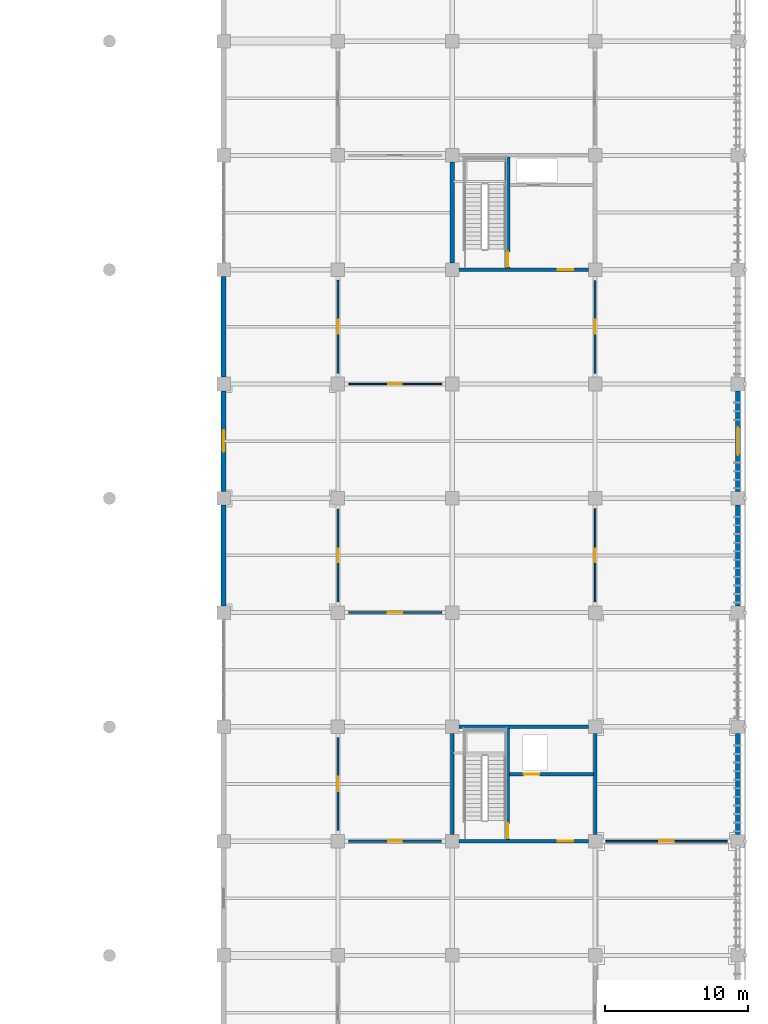
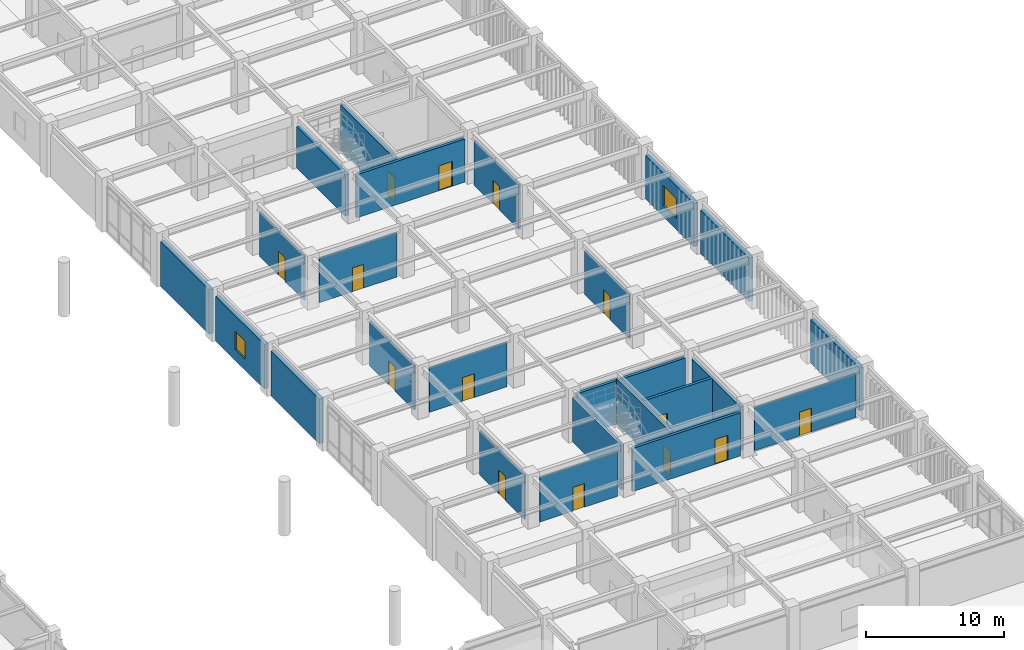
# One storey, part 77 of 109: 24 walls, 14 doors, 2 windows, 16 openings.
"""IFC4 building model written with IfcOpenShell, lengths in metres."""

from ifc_helpers import new_model, si_unit, direction, frame, frame_2d, origin, place, context, subcontext, project, spatial, rectangle, extrude, material, layer, layer_set, type_object, element, fill, save


model = new_model("IFC4")

# Units and contexts
model_context = context("Model", 3, precision=1e-05, world=origin(), true_north=direction((0.0, 1.0)))
body_context = subcontext(model_context, "Body", "Model", "MODEL_VIEW")
ifc_project = project(units=[si_unit("LENGTHUNIT", "METRE"), si_unit("AREAUNIT", "SQUARE_METRE"), si_unit("VOLUMEUNIT", "CUBIC_METRE"), si_unit("PLANEANGLEUNIT", "RADIAN"), si_unit("MASSUNIT", "GRAM", prefix="KILO")], contexts=[model_context])

# Site, building, storey
site_placement = place(None, origin())
site = spatial("IfcSite", under=ifc_project, at=site_placement, CompositionType="ELEMENT")
building_placement = place(site_placement, origin())
building = spatial("IfcBuilding", under=site, at=building_placement, Name="Haebicheon Civic Stadium", CompositionType="ELEMENT")
storey_placement = place(building_placement, frame((0.0, 0.0, 9.60009765625)))
storey = spatial("IfcBuildingStorey", under=building, at=storey_placement, Name="L03", CompositionType="ELEMENT", Elevation=9.60009765625)

# Wall, opening, door
ifc_material_1 = material(Name="Concrete C40/50", Category="concrete")
ifc_layer_1 = layer(ifc_material_1, 0.239990234375, Name="Concrete C40/50")
ifc_layer_set_1 = layer_set([ifc_layer_1], Name="Concrete C40/50")
wall_type_1 = type_object("IfcWallType", Name="CW-SHR-240", PredefinedType="SHEAR", material=ifc_layer_set_1)
wall_1_placement = place(storey_placement, frame((216.47509765625, 64.0, 0.0), z_axis=(0.0, 0.0, 1.0), x_axis=(1.0, 0.0, 0.0)))
wall_1 = element("IfcWall", 1, at=wall_1_placement, inside=storey, type_object=wall_type_1, material=ifc_layer_set_1, Name="KC-12 L03 south core shear wall", PredefinedType="SHEAR", context=body_context, shape_type="SweptSolid", body=[
    extrude(rectangle(XDim=9.0498046875, YDim=0.239990234375, at=frame_2d((4.52490234375, 0.0))), origin(), (0.0, 0.0, 1.0), 3.829833984375),
])
opening_1_placement = place(wall_1_placement, frame((6.89990234375, 0.0, 0.0)))
opening_1 = element("IfcOpeningElement", 2, at=opening_1_placement, cuts=wall_1, Name="Opening D-L03-KC-12-LOB", PredefinedType="OPENING", context=body_context, shape_type="SweptSolid", body=[
    extrude(rectangle(XDim=1.10009765625, YDim=2.199951171875, at=frame_2d((0.550048828125, 1.10009765625))), frame((0.0, 0.1298828125, 0.0), z_axis=(0.0, -1.0, 0.0), x_axis=(1.0, 0.0, 0.0)), (0.0, 0.0, 1.0), 0.260009765625),
])
ifc_material_2 = material(Name="Galvanised painted steel SM355", Category="steel")
door_type_1 = type_object("IfcDoorType", Name="ID-FD-1100", OperationType="NOTDEFINED", PredefinedType="DOOR", material=ifc_material_2)
door_1_placement = place(opening_1_placement, origin())
door_1 = element("IfcDoor", 3, at=door_1_placement, inside=storey, type_object=door_type_1, material=ifc_material_2, Name="L03 KC-12 lobby fire door", OperationType="SINGLE_SWING_LEFT", OverallHeight=2.199951171875, OverallWidth=1.10009765625, PredefinedType="DOOR", context=body_context, shape_type="SweptSolid", body=[
    extrude(rectangle(XDim=1.10009765625, YDim=2.199951171875, at=frame_2d((0.550048828125, 1.10009765625))), frame((0.0, 0.02490234375, 0.0), z_axis=(0.0, -1.0, 0.0), x_axis=(1.0, 0.0, 0.0)), (0.0, 0.0, 1.0), 0.050048828125),
])
fill(opening_1, door_1)

# Walls
wall_2_placement = place(storey_placement, frame((216.47509765625, 72.0, 0.0), z_axis=(0.0, 0.0, 1.0), x_axis=(1.0, 0.0, 0.0)))
element("IfcWall", 4, at=wall_2_placement, inside=storey, type_object=wall_type_1, material=ifc_layer_set_1, Name="KC-12 L03 north core shear wall", PredefinedType="SHEAR", context=body_context, shape_type="SweptSolid", body=[
    extrude(rectangle(XDim=9.0498046875, YDim=0.239990234375, at=frame_2d((4.52490234375, 0.0))), origin(), (0.0, 0.0, 1.0), 3.829833984375),
])
wall_3_placement = place(storey_placement, frame((216.0, 64.47509765625, 0.0), z_axis=(0.0, 0.0, 1.0), x_axis=(0.0, 1.0, 0.0)))
element("IfcWall", 5, at=wall_3_placement, inside=storey, type_object=wall_type_1, material=ifc_layer_set_1, Name="KC-12 L03 west core shear wall", PredefinedType="SHEAR", context=body_context, shape_type="SweptSolid", body=[
    extrude(rectangle(XDim=7.0498046875, YDim=0.239990234375, at=frame_2d((3.52490234375, 0.0))), origin(), (0.0, 0.0, 1.0), 3.929931640625),
])
wall_4_placement = place(storey_placement, frame((226.0, 64.47509765625, 0.0), z_axis=(0.0, 0.0, 1.0), x_axis=(0.0, 1.0, 0.0)))
element("IfcWall", 6, at=wall_4_placement, inside=storey, type_object=wall_type_1, material=ifc_layer_set_1, Name="KC-12 L03 east core shear wall", PredefinedType="SHEAR", context=body_context, shape_type="SweptSolid", body=[
    extrude(rectangle(XDim=7.0498046875, YDim=0.239990234375, at=frame_2d((3.52490234375, 0.0))), origin(), (0.0, 0.0, 1.0), 3.829833984375),
])

# Wall, opening, door
wall_5_placement = place(storey_placement, frame((219.8798828125, 64.1201171875, 0.0), z_axis=(0.0, 0.0, 1.0), x_axis=(0.0, 1.0, 0.0)))
wall_5 = element("IfcWall", 7, at=wall_5_placement, inside=storey, type_object=wall_type_1, material=ifc_layer_set_1, Name="KC-12 L03 stair-lobby dividing shear wall", PredefinedType="SHEAR", context=body_context, shape_type="SweptSolid", body=[
    extrude(rectangle(XDim=7.759765625, YDim=0.239990234375, at=frame_2d((3.8798828125, 0.0))), origin(), (0.0, 0.0, 1.0), 4.02978515625),
])
opening_2_placement = place(wall_5_placement, frame((0.080078125, 0.0, 0.0)))
opening_2 = element("IfcOpeningElement", 8, at=opening_2_placement, cuts=wall_5, Name="Opening D-L03-KC-12-STR", PredefinedType="OPENING", context=body_context, shape_type="SweptSolid", body=[
    extrude(rectangle(XDim=1.050048828125, YDim=2.14990234375, at=frame_2d((0.52490234375, 1.074951171875))), frame((0.0, 0.1298828125, 0.0), z_axis=(0.0, -1.0, 0.0), x_axis=(1.0, 0.0, 0.0)), (0.0, 0.0, 1.0), 0.260009765625),
])
ifc_material_3 = material(Name="Galvanised painted steel SM355", Category="steel")
door_type_2 = type_object("IfcDoorType", Name="ID-FD-1050", OperationType="NOTDEFINED", PredefinedType="DOOR", material=ifc_material_3)
door_2_placement = place(opening_2_placement, origin())
door_2 = element("IfcDoor", 9, at=door_2_placement, inside=storey, type_object=door_type_2, material=ifc_material_3, Name="L03 ST-12 stairwell escape door", OperationType="SINGLE_SWING_RIGHT", OverallHeight=2.14990234375, OverallWidth=1.050048828125, PredefinedType="DOOR", context=body_context, shape_type="SweptSolid", body=[
    extrude(rectangle(XDim=1.050048828125, YDim=2.14990234375, at=frame_2d((0.52490234375, 1.074951171875))), frame((0.0, 0.02490234375, 0.0), z_axis=(0.0, -1.0, 0.0), x_axis=(1.0, 0.0, 0.0)), (0.0, 0.0, 1.0), 0.050048828125),
])
fill(opening_2, door_2)

wall_6_placement = place(storey_placement, frame((220.0, 68.679931640625, 0.0), z_axis=(0.0, 0.0, 1.0), x_axis=(1.0, 0.0, 0.0)))
wall_6 = element("IfcWall", 10, at=wall_6_placement, inside=storey, type_object=wall_type_1, material=ifc_layer_set_1, Name="KC-12 L03 lift shaft front wall", PredefinedType="SHEAR", context=body_context, shape_type="SweptSolid", body=[
    extrude(rectangle(XDim=5.8798828125, YDim=0.239990234375, at=frame_2d((2.93994140625, 0.0))), origin(), (0.0, 0.0, 1.0), 3.929931640625),
])
opening_3_placement = place(wall_6_placement, frame((1.0, 0.0, 0.0)))
opening_3 = element("IfcOpeningElement", 11, at=opening_3_placement, cuts=wall_6, Name="Opening LD-09-L03", PredefinedType="OPENING", context=body_context, shape_type="SweptSolid", body=[
    extrude(rectangle(XDim=1.10009765625, YDim=2.14990234375, at=frame_2d((0.550048828125, 1.074951171875))), frame((0.0, 0.1298828125, 0.0), z_axis=(0.0, -1.0, 0.0), x_axis=(1.0, 0.0, 0.0)), (0.0, 0.0, 1.0), 0.260009765625),
])
ifc_material_4 = material(Name="Stainless steel 316", Category="steel")
door_type_3 = type_object("IfcDoorType", Name="ID-LD-1100", OperationType="NOTDEFINED", PredefinedType="DOOR", material=ifc_material_4)
door_3_placement = place(opening_3_placement, origin())
door_3 = element("IfcDoor", 12, at=door_3_placement, inside=storey, type_object=door_type_3, material=ifc_material_4, Name="LF-09 lift landing sliding door L03", OperationType="SLIDING_TO_LEFT", OverallHeight=2.14990234375, OverallWidth=1.10009765625, PredefinedType="DOOR", context=body_context, shape_type="SweptSolid", body=[
    extrude(rectangle(XDim=1.10009765625, YDim=2.14990234375, at=frame_2d((0.550048828125, 1.074951171875))), frame((0.0, 0.02490234375, 0.0), z_axis=(0.0, -1.0, 0.0), x_axis=(1.0, 0.0, 0.0)), (0.0, 0.0, 1.0), 0.050048828125),
])
fill(opening_3, door_3)

wall_7_placement = place(storey_placement, frame((216.47509765625, 104.0, 0.0), z_axis=(0.0, 0.0, 1.0), x_axis=(1.0, 0.0, 0.0)))
wall_7 = element("IfcWall", 13, at=wall_7_placement, inside=storey, type_object=wall_type_1, material=ifc_layer_set_1, Name="KC-13 L03 south core shear wall", PredefinedType="SHEAR", context=body_context, shape_type="SweptSolid", body=[
    extrude(rectangle(XDim=9.0498046875, YDim=0.239990234375, at=frame_2d((4.52490234375, 0.0))), origin(), (0.0, 0.0, 1.0), 3.829833984375),
])
opening_4_placement = place(wall_7_placement, frame((6.89990234375, 0.0, 0.0)))
opening_4 = element("IfcOpeningElement", 14, at=opening_4_placement, cuts=wall_7, Name="Opening D-L03-KC-13-LOB", PredefinedType="OPENING", context=body_context, shape_type="SweptSolid", body=[
    extrude(rectangle(XDim=1.10009765625, YDim=2.199951171875, at=frame_2d((0.550048828125, 1.10009765625))), frame((0.0, 0.1298828125, 0.0), z_axis=(0.0, -1.0, 0.0), x_axis=(1.0, 0.0, 0.0)), (0.0, 0.0, 1.0), 0.260009765625),
])
door_4_placement = place(opening_4_placement, origin())
door_4 = element("IfcDoor", 15, at=door_4_placement, inside=storey, type_object=door_type_1, material=ifc_material_2, Name="L03 KC-13 lobby fire door", OperationType="SINGLE_SWING_LEFT", OverallHeight=2.199951171875, OverallWidth=1.10009765625, PredefinedType="DOOR", context=body_context, shape_type="SweptSolid", body=[
    extrude(rectangle(XDim=1.10009765625, YDim=2.199951171875, at=frame_2d((0.550048828125, 1.10009765625))), frame((0.0, 0.02490234375, 0.0), z_axis=(0.0, -1.0, 0.0), x_axis=(1.0, 0.0, 0.0)), (0.0, 0.0, 1.0), 0.050048828125),
])
fill(opening_4, door_4)

# Wall
ifc_material_5 = material(Name="Concrete C40/50", Category="concrete")
ifc_layer_2 = layer(ifc_material_5, 0.300048828125, Name="Concrete C40/50")
ifc_layer_set_2 = layer_set([ifc_layer_2], Name="Concrete C40/50")
wall_type_2 = type_object("IfcWallType", Name="CW-SHR-300", PredefinedType="SHEAR", material=ifc_layer_set_2)
wall_8_placement = place(storey_placement, frame((216.0, 104.47509765625, 0.0), z_axis=(0.0, 0.0, 1.0), x_axis=(0.0, 1.0, 0.0)))
element("IfcWall", 16, at=wall_8_placement, inside=storey, type_object=wall_type_2, material=ifc_layer_set_2, Name="KC-13 L03 west core shear wall", PredefinedType="SHEAR", context=body_context, shape_type="SweptSolid", body=[
    extrude(rectangle(XDim=7.0498046875, YDim=0.300048828125, at=frame_2d((3.52490234375, 0.0))), origin(), (0.0, 0.0, 1.0), 3.679931640625),
])

# Wall, opening, door
wall_9_placement = place(storey_placement, frame((219.8798828125, 104.1201171875, 0.0), z_axis=(0.0, 0.0, 1.0), x_axis=(0.0, 1.0, 0.0)))
wall_9 = element("IfcWall", 17, at=wall_9_placement, inside=storey, type_object=wall_type_2, material=ifc_layer_set_2, Name="KC-13 L03 stair-lobby dividing shear wall", PredefinedType="SHEAR", context=body_context, shape_type="SweptSolid", body=[
    extrude(rectangle(XDim=7.759765625, YDim=0.300048828125, at=frame_2d((3.8798828125, 0.0))), origin(), (0.0, 0.0, 1.0), 4.02978515625),
])
opening_5_placement = place(wall_9_placement, frame((0.080078125, 0.0, 0.0)))
opening_5 = element("IfcOpeningElement", 18, at=opening_5_placement, cuts=wall_9, Name="Opening D-L03-KC-13-STR", PredefinedType="OPENING", context=body_context, shape_type="SweptSolid", body=[
    extrude(rectangle(XDim=1.050048828125, YDim=2.14990234375, at=frame_2d((0.52490234375, 1.074951171875))), frame((0.0, 0.159912109375, 0.0), z_axis=(0.0, -1.0, 0.0), x_axis=(1.0, 0.0, 0.0)), (0.0, 0.0, 1.0), 0.320068359375),
])
door_5_placement = place(opening_5_placement, origin())
door_5 = element("IfcDoor", 19, at=door_5_placement, inside=storey, type_object=door_type_2, material=ifc_material_3, Name="L03 ST-13 stairwell escape door", OperationType="SINGLE_SWING_RIGHT", OverallHeight=2.14990234375, OverallWidth=1.050048828125, PredefinedType="DOOR", context=body_context, shape_type="SweptSolid", body=[
    extrude(rectangle(XDim=1.050048828125, YDim=2.14990234375, at=frame_2d((0.52490234375, 1.074951171875))), frame((0.0, 0.02490234375, 0.0), z_axis=(0.0, -1.0, 0.0), x_axis=(1.0, 0.0, 0.0)), (0.0, 0.0, 1.0), 0.050048828125),
])
fill(opening_5, door_5)

# Wall
ifc_material_6 = material(Name="Concrete C40/50", Category="concrete")
ifc_layer_3 = layer(ifc_material_6, 0.35009765625, Name="Concrete C40/50")
ifc_layer_set_3 = layer_set([ifc_layer_3], Name="Concrete C40/50")
wall_type_3 = type_object("IfcWallType", Name="EW-BM-350", PredefinedType="SOLIDWALL", material=ifc_layer_set_3)
wall_10_placement = place(storey_placement, frame((200.0, 80.47509765625, 0.0), z_axis=(0.0, 0.0, 1.0), x_axis=(0.0, 1.0, 0.0)))
element("IfcWall", 20, at=wall_10_placement, inside=storey, type_object=wall_type_3, material=ifc_layer_set_3, Name="L03 board-marked concrete facade wall 25-10-W", PredefinedType="SOLIDWALL", context=body_context, shape_type="SweptSolid", body=[
    extrude(rectangle(XDim=7.0498046875, YDim=0.35009765625, at=frame_2d((3.52490234375, 0.0))), origin(), (0.0, 0.0, 1.0), 3.949951171875),
])

# Wall, opening, window
wall_11_placement = place(storey_placement, frame((200.0, 88.47509765625, 0.0), z_axis=(0.0, 0.0, 1.0), x_axis=(0.0, 1.0, 0.0)))
wall_11 = element("IfcWall", 21, at=wall_11_placement, inside=storey, type_object=wall_type_3, material=ifc_layer_set_3, Name="L03 board-marked concrete facade wall 25-11-W", PredefinedType="SOLIDWALL", context=body_context, shape_type="SweptSolid", body=[
    extrude(rectangle(XDim=7.0498046875, YDim=0.35009765625, at=frame_2d((3.52490234375, 0.0))), origin(), (0.0, 0.0, 1.0), 3.949951171875),
])
opening_6_placement = place(wall_11_placement, frame((2.77490234375, 0.0, 0.949951171875)))
opening_6 = element("IfcOpeningElement", 22, at=opening_6_placement, cuts=wall_11, Name="Opening WIN-150x160", PredefinedType="OPENING", context=body_context, shape_type="SweptSolid", body=[
    extrude(rectangle(XDim=1.5, YDim=1.60009765625, at=frame_2d((0.75, 0.800048828125))), frame((0.0, 0.18505859375, 0.0), z_axis=(0.0, -1.0, 0.0), x_axis=(1.0, 0.0, 0.0)), (0.0, 0.0, 1.0), 0.3701171875),
])
ifc_material_7 = material(Name="Anodised aluminium and laminated glass", Category="aluminium")
window_type_1 = type_object("IfcWindowType", Name="WIN-150x160", PartitioningType="SINGLE_PANEL", PredefinedType="WINDOW", material=ifc_material_7)
window_1_placement = place(opening_6_placement, origin())
window_1 = element("IfcWindow", 23, at=window_1_placement, inside=storey, type_object=window_type_1, material=ifc_material_7, Name="L03 facade window 093", OverallHeight=1.60009765625, OverallWidth=1.5, PartitioningType="SINGLE_PANEL", PredefinedType="WINDOW", context=body_context, shape_type="SweptSolid", body=[
    extrude(rectangle(XDim=1.5, YDim=1.60009765625, at=frame_2d((0.75, 0.800048828125))), frame((0.0, 0.030029296875, 0.0), z_axis=(0.0, -1.0, 0.0), x_axis=(1.0, 0.0, 0.0)), (0.0, 0.0, 1.0), 0.06005859375),
])
fill(opening_6, window_1)

# Walls
wall_12_placement = place(storey_placement, frame((200.0, 96.47509765625, 0.0), z_axis=(0.0, 0.0, 1.0), x_axis=(0.0, 1.0, 0.0)))
element("IfcWall", 24, at=wall_12_placement, inside=storey, type_object=wall_type_3, material=ifc_layer_set_3, Name="L03 board-marked concrete facade wall 25-12-W", PredefinedType="SOLIDWALL", context=body_context, shape_type="SweptSolid", body=[
    extrude(rectangle(XDim=7.0498046875, YDim=0.35009765625, at=frame_2d((3.52490234375, 0.0))), origin(), (0.0, 0.0, 1.0), 3.949951171875),
])
for number, where, z_axis, x_axis, name in (
    (25, (236.0, 64.47509765625, 0.0), (0.0, 0.0, 1.0), (0.0, 1.0, 0.0), "L03 board-marked concrete facade wall 29-08-E"),
    (26, (236.0, 80.47509765625, 0.0), (0.0, 0.0, 1.0), (0.0, 1.0, 0.0), "L03 board-marked concrete facade wall 29-10-E"),
):
    element("IfcWall", number, at=place(storey_placement, frame(where, z_axis=z_axis, x_axis=x_axis)), inside=storey, type_object=wall_type_3, material=ifc_layer_set_3, Name=name, PredefinedType="SOLIDWALL", context=body_context, shape_type="SweptSolid", body=[
        extrude(rectangle(XDim=7.0498046875, YDim=0.35009765625, at=frame_2d((3.52490234375, 0.0))), origin(), (0.0, 0.0, 1.0), 3.829833984375),
    ])

# Wall, opening, window
wall_13_placement = place(storey_placement, frame((236.0, 88.47509765625, 0.0), z_axis=(0.0, 0.0, 1.0), x_axis=(0.0, 1.0, 0.0)))
wall_13 = element("IfcWall", 27, at=wall_13_placement, inside=storey, type_object=wall_type_3, material=ifc_layer_set_3, Name="L03 board-marked concrete facade wall 29-11-E", PredefinedType="SOLIDWALL", context=body_context, shape_type="SweptSolid", body=[
    extrude(rectangle(XDim=7.0498046875, YDim=0.35009765625, at=frame_2d((3.52490234375, 0.0))), origin(), (0.0, 0.0, 1.0), 3.829833984375),
])
opening_7_placement = place(wall_13_placement, frame((2.550048828125, 0.0, 0.949951171875)))
opening_7 = element("IfcOpeningElement", 28, at=opening_7_placement, cuts=wall_13, Name="Opening WIN-195x180", PredefinedType="OPENING", context=body_context, shape_type="SweptSolid", body=[
    extrude(rectangle(XDim=1.949951171875, YDim=1.800048828125, at=frame_2d((0.97509765625, 0.89990234375))), frame((0.0, 0.18505859375, 0.0), z_axis=(0.0, -1.0, 0.0), x_axis=(1.0, 0.0, 0.0)), (0.0, 0.0, 1.0), 0.3701171875),
])
ifc_material_8 = material(Name="Anodised aluminium and laminated glass", Category="aluminium")
window_type_2 = type_object("IfcWindowType", Name="WIN-195x180", PartitioningType="SINGLE_PANEL", PredefinedType="WINDOW", material=ifc_material_8)
window_2_placement = place(opening_7_placement, origin())
window_2 = element("IfcWindow", 29, at=window_2_placement, inside=storey, type_object=window_type_2, material=ifc_material_8, Name="L03 facade window 096", OverallHeight=1.800048828125, OverallWidth=1.949951171875, PartitioningType="SINGLE_PANEL", PredefinedType="WINDOW", context=body_context, shape_type="SweptSolid", body=[
    extrude(rectangle(XDim=1.949951171875, YDim=1.800048828125, at=frame_2d((0.97509765625, 0.89990234375))), frame((0.0, 0.030029296875, 0.0), z_axis=(0.0, -1.0, 0.0), x_axis=(1.0, 0.0, 0.0)), (0.0, 0.0, 1.0), 0.06005859375),
])
fill(opening_7, window_2)

# Wall, opening, door
ifc_material_9 = material(Name="Anodised aluminium and laminated glass", Category="aluminium")
ifc_layer_4 = layer(ifc_material_9, 0.10009765625, Name="Anodised aluminium and laminated glass")
ifc_layer_set_4 = layer_set([ifc_layer_4], Name="Anodised aluminium and laminated glass")
wall_type_4 = type_object("IfcWallType", Name="IW-PRT-100", PredefinedType="PARTITIONING", material=ifc_layer_set_4)
wall_14_placement = place(storey_placement, frame((208.75, 96.0, 0.0), z_axis=(0.0, 0.0, 1.0), x_axis=(1.0, 0.0, 0.0)))
wall_14 = element("IfcWall", 30, at=wall_14_placement, inside=storey, type_object=wall_type_4, material=ifc_layer_set_4, Name="L03 Sports Science Teaching Lab partition wall", PredefinedType="PARTITIONING", context=body_context, shape_type="SweptSolid", body=[
    extrude(rectangle(XDim=6.5, YDim=0.10009765625, at=frame_2d((3.25, 0.0))), origin(), (0.0, 0.0, 1.0), 3.929931640625),
])
opening_8_placement = place(wall_14_placement, frame((2.77490234375, 0.0, 0.0)))
opening_8 = element("IfcOpeningElement", 31, at=opening_8_placement, cuts=wall_14, Name="Opening D-L03-305", PredefinedType="OPENING", context=body_context, shape_type="SweptSolid", body=[
    extrude(rectangle(XDim=0.949951171875, YDim=2.10009765625, at=frame_2d((0.47509765625, 1.050048828125))), frame((0.0, 0.06005859375, 0.0), z_axis=(0.0, -1.0, 0.0), x_axis=(1.0, 0.0, 0.0)), (0.0, 0.0, 1.0), 0.1201171875),
])
ifc_material_10 = material(Name="Engineered hardwood timber", Category="wood")
door_type_4 = type_object("IfcDoorType", Name="ID-RM-0950", OperationType="NOTDEFINED", PredefinedType="DOOR", material=ifc_material_10)
door_6_placement = place(opening_8_placement, origin())
door_6 = element("IfcDoor", 32, at=door_6_placement, inside=storey, type_object=door_type_4, material=ifc_material_10, Name="L03 Sports Science Teaching Lab entrance door D-L03-305", OperationType="SINGLE_SWING_LEFT", OverallHeight=2.10009765625, OverallWidth=0.949951171875, PredefinedType="DOOR", context=body_context, shape_type="SweptSolid", body=[
    extrude(rectangle(XDim=0.949951171875, YDim=2.10009765625, at=frame_2d((0.47509765625, 1.050048828125))), frame((0.0, 0.02490234375, 0.0), z_axis=(0.0, -1.0, 0.0), x_axis=(1.0, 0.0, 0.0)), (0.0, 0.0, 1.0), 0.050048828125),
])
fill(opening_8, door_6)

wall_15_placement = place(storey_placement, frame((226.0, 80.75, 0.0), z_axis=(0.0, 0.0, 1.0), x_axis=(0.0, 1.0, 0.0)))
wall_15 = element("IfcWall", 33, at=wall_15_placement, inside=storey, type_object=wall_type_4, material=ifc_layer_set_4, Name="L03 Sports Science Teaching Lab partition wall", PredefinedType="PARTITIONING", context=body_context, shape_type="SweptSolid", body=[
    extrude(rectangle(XDim=6.5, YDim=0.10009765625, at=frame_2d((3.25, 0.0))), origin(), (0.0, 0.0, 1.0), 3.929931640625),
])
opening_9_placement = place(wall_15_placement, frame((2.77490234375, 0.0, 0.0)))
opening_9 = element("IfcOpeningElement", 34, at=opening_9_placement, cuts=wall_15, Name="Opening D-L03-311", PredefinedType="OPENING", context=body_context, shape_type="SweptSolid", body=[
    extrude(rectangle(XDim=0.949951171875, YDim=2.10009765625, at=frame_2d((0.47509765625, 1.050048828125))), frame((0.0, 0.06005859375, 0.0), z_axis=(0.0, -1.0, 0.0), x_axis=(1.0, 0.0, 0.0)), (0.0, 0.0, 1.0), 0.1201171875),
])
door_7_placement = place(opening_9_placement, origin())
door_7 = element("IfcDoor", 35, at=door_7_placement, inside=storey, type_object=door_type_4, material=ifc_material_10, Name="L03 Sports Science Teaching Lab entrance door D-L03-311", OperationType="SINGLE_SWING_LEFT", OverallHeight=2.10009765625, OverallWidth=0.949951171875, PredefinedType="DOOR", context=body_context, shape_type="SweptSolid", body=[
    extrude(rectangle(XDim=0.949951171875, YDim=2.10009765625, at=frame_2d((0.47509765625, 1.050048828125))), frame((0.0, 0.02490234375, 0.0), z_axis=(0.0, -1.0, 0.0), x_axis=(1.0, 0.0, 0.0)), (0.0, 0.0, 1.0), 0.050048828125),
])
fill(opening_9, door_7)

ifc_material_11 = material(Name="Gypsum plasterboard on steel studs", Category="gypsum")
ifc_layer_5 = layer(ifc_material_11, 0.1201171875, Name="Gypsum plasterboard on steel studs")
ifc_layer_set_5 = layer_set([ifc_layer_5], Name="Gypsum plasterboard on steel studs")
wall_type_5 = type_object("IfcWallType", Name="IW-PRT-120", PredefinedType="PARTITIONING", material=ifc_layer_set_5)
wall_16_placement = place(storey_placement, frame((208.0, 96.75, 0.0), z_axis=(0.0, 0.0, 1.0), x_axis=(0.0, 1.0, 0.0)))
wall_16 = element("IfcWall", 36, at=wall_16_placement, inside=storey, type_object=wall_type_5, material=ifc_layer_set_5, Name="L03 Youth Sports Classroom partition wall", PredefinedType="PARTITIONING", context=body_context, shape_type="SweptSolid", body=[
    extrude(rectangle(XDim=6.5, YDim=0.1201171875, at=frame_2d((3.25, 0.0))), origin(), (0.0, 0.0, 1.0), 3.929931640625),
])
opening_10_placement = place(wall_16_placement, frame((2.75, 0.0, 0.0)))
opening_10 = element("IfcOpeningElement", 37, at=opening_10_placement, cuts=wall_16, Name="Opening D-L03-298", PredefinedType="OPENING", context=body_context, shape_type="SweptSolid", body=[
    extrude(rectangle(XDim=1.0, YDim=2.10009765625, at=frame_2d((0.5, 1.050048828125))), frame((0.0, 0.070068359375, 0.0), z_axis=(0.0, -1.0, 0.0), x_axis=(1.0, 0.0, 0.0)), (0.0, 0.0, 1.0), 0.14013671875),
])
ifc_material_12 = material(Name="Engineered hardwood timber", Category="wood")
door_type_5 = type_object("IfcDoorType", Name="ID-RM-1000", OperationType="NOTDEFINED", PredefinedType="DOOR", material=ifc_material_12)
door_8_placement = place(opening_10_placement, origin())
door_8 = element("IfcDoor", 38, at=door_8_placement, inside=storey, type_object=door_type_5, material=ifc_material_12, Name="L03 Youth Sports Classroom entrance door D-L03-298", OperationType="SINGLE_SWING_RIGHT", OverallHeight=2.10009765625, OverallWidth=1.0, PredefinedType="DOOR", context=body_context, shape_type="SweptSolid", body=[
    extrude(rectangle(XDim=1.0, YDim=2.10009765625, at=frame_2d((0.5, 1.050048828125))), frame((0.0, 0.02490234375, 0.0), z_axis=(0.0, -1.0, 0.0), x_axis=(1.0, 0.0, 0.0)), (0.0, 0.0, 1.0), 0.050048828125),
])
fill(opening_10, door_8)

wall_17_placement = place(storey_placement, frame((226.75, 64.0, 0.0), z_axis=(0.0, 0.0, 1.0), x_axis=(1.0, 0.0, 0.0)))
wall_17 = element("IfcWall", 39, at=wall_17_placement, inside=storey, type_object=wall_type_5, material=ifc_layer_set_5, Name="L03 Youth Sports Classroom partition wall", PredefinedType="PARTITIONING", context=body_context, shape_type="SweptSolid", body=[
    extrude(rectangle(XDim=8.5, YDim=0.1201171875, at=frame_2d((4.25, 0.0))), origin(), (0.0, 0.0, 1.0), 3.829833984375),
])
opening_11_placement = place(wall_17_placement, frame((3.75, 0.0, 0.0)))
opening_11 = element("IfcOpeningElement", 40, at=opening_11_placement, cuts=wall_17, Name="Opening D-L03-310", PredefinedType="OPENING", context=body_context, shape_type="SweptSolid", body=[
    extrude(rectangle(XDim=1.0, YDim=2.10009765625, at=frame_2d((0.5, 1.050048828125))), frame((0.0, 0.070068359375, 0.0), z_axis=(0.0, -1.0, 0.0), x_axis=(1.0, 0.0, 0.0)), (0.0, 0.0, 1.0), 0.14013671875),
])
door_9_placement = place(opening_11_placement, origin())
door_9 = element("IfcDoor", 41, at=door_9_placement, inside=storey, type_object=door_type_5, material=ifc_material_12, Name="L03 Youth Sports Classroom entrance door D-L03-310", OperationType="SINGLE_SWING_RIGHT", OverallHeight=2.10009765625, OverallWidth=1.0, PredefinedType="DOOR", context=body_context, shape_type="SweptSolid", body=[
    extrude(rectangle(XDim=1.0, YDim=2.10009765625, at=frame_2d((0.5, 1.050048828125))), frame((0.0, 0.02490234375, 0.0), z_axis=(0.0, -1.0, 0.0), x_axis=(1.0, 0.0, 0.0)), (0.0, 0.0, 1.0), 0.050048828125),
])
fill(opening_11, door_9)

ifc_material_13 = material(Name="Gypsum plasterboard on steel studs", Category="gypsum")
ifc_layer_6 = layer(ifc_material_13, 0.1298828125, Name="Gypsum plasterboard on steel studs")
ifc_layer_set_6 = layer_set([ifc_layer_6], Name="Gypsum plasterboard on steel studs")
wall_type_6 = type_object("IfcWallType", Name="IW-PRT-130", PredefinedType="PARTITIONING", material=ifc_layer_set_6)
wall_18_placement = place(storey_placement, frame((208.0, 64.75, 0.0), z_axis=(0.0, 0.0, 1.0), x_axis=(0.0, 1.0, 0.0)))
wall_18 = element("IfcWall", 42, at=wall_18_placement, inside=storey, type_object=wall_type_6, material=ifc_layer_set_6, Name="L03 Sports Science Teaching Lab partition wall", PredefinedType="PARTITIONING", context=body_context, shape_type="SweptSolid", body=[
    extrude(rectangle(XDim=6.5, YDim=0.1298828125, at=frame_2d((3.25, 0.0))), origin(), (0.0, 0.0, 1.0), 3.929931640625),
])
opening_12_placement = place(wall_18_placement, frame((2.75, 0.0, 0.0)))
opening_12 = element("IfcOpeningElement", 43, at=opening_12_placement, cuts=wall_18, Name="Opening D-L03-296", PredefinedType="OPENING", context=body_context, shape_type="SweptSolid", body=[
    extrude(rectangle(XDim=1.0, YDim=2.10009765625, at=frame_2d((0.5, 1.050048828125))), frame((0.0, 0.074951171875, 0.0), z_axis=(0.0, -1.0, 0.0), x_axis=(1.0, 0.0, 0.0)), (0.0, 0.0, 1.0), 0.14990234375),
])
door_10_placement = place(opening_12_placement, origin())
door_10 = element("IfcDoor", 44, at=door_10_placement, inside=storey, type_object=door_type_5, material=ifc_material_12, Name="L03 Sports Science Teaching Lab entrance door D-L03-296", OperationType="SINGLE_SWING_RIGHT", OverallHeight=2.10009765625, OverallWidth=1.0, PredefinedType="DOOR", context=body_context, shape_type="SweptSolid", body=[
    extrude(rectangle(XDim=1.0, YDim=2.10009765625, at=frame_2d((0.5, 1.050048828125))), frame((0.0, 0.02490234375, 0.0), z_axis=(0.0, -1.0, 0.0), x_axis=(1.0, 0.0, 0.0)), (0.0, 0.0, 1.0), 0.050048828125),
])
fill(opening_12, door_10)

wall_19_placement = place(storey_placement, frame((208.75, 80.0, 0.0), z_axis=(0.0, 0.0, 1.0), x_axis=(1.0, 0.0, 0.0)))
wall_19 = element("IfcWall", 45, at=wall_19_placement, inside=storey, type_object=wall_type_6, material=ifc_layer_set_6, Name="L03 Youth Sports Classroom partition wall", PredefinedType="PARTITIONING", context=body_context, shape_type="SweptSolid", body=[
    extrude(rectangle(XDim=6.5, YDim=0.1298828125, at=frame_2d((3.25, 0.0))), origin(), (0.0, 0.0, 1.0), 3.929931640625),
])
opening_13_placement = place(wall_19_placement, frame((2.75, 0.0, 0.0)))
opening_13 = element("IfcOpeningElement", 46, at=opening_13_placement, cuts=wall_19, Name="Opening D-L03-304", PredefinedType="OPENING", context=body_context, shape_type="SweptSolid", body=[
    extrude(rectangle(XDim=1.0, YDim=2.10009765625, at=frame_2d((0.5, 1.050048828125))), frame((0.0, 0.074951171875, 0.0), z_axis=(0.0, -1.0, 0.0), x_axis=(1.0, 0.0, 0.0)), (0.0, 0.0, 1.0), 0.14990234375),
])
door_11_placement = place(opening_13_placement, origin())
door_11 = element("IfcDoor", 47, at=door_11_placement, inside=storey, type_object=door_type_5, material=ifc_material_12, Name="L03 Youth Sports Classroom entrance door D-L03-304", OperationType="SINGLE_SWING_RIGHT", OverallHeight=2.10009765625, OverallWidth=1.0, PredefinedType="DOOR", context=body_context, shape_type="SweptSolid", body=[
    extrude(rectangle(XDim=1.0, YDim=2.10009765625, at=frame_2d((0.5, 1.050048828125))), frame((0.0, 0.02490234375, 0.0), z_axis=(0.0, -1.0, 0.0), x_axis=(1.0, 0.0, 0.0)), (0.0, 0.0, 1.0), 0.050048828125),
])
fill(opening_13, door_11)

ifc_material_14 = material(Name="Concrete C35/45", Category="concrete")
ifc_layer_7 = layer(ifc_material_14, 0.159912109375, Name="Concrete C35/45")
ifc_layer_set_7 = layer_set([ifc_layer_7], Name="Concrete C35/45")
wall_type_7 = type_object("IfcWallType", Name="IW-PRT-160", PredefinedType="PARTITIONING", material=ifc_layer_set_7)
wall_20_placement = place(storey_placement, frame((208.0, 80.75, 0.0), z_axis=(0.0, 0.0, 1.0), x_axis=(0.0, 1.0, 0.0)))
wall_20 = element("IfcWall", 48, at=wall_20_placement, inside=storey, type_object=wall_type_7, material=ifc_layer_set_7, Name="L03 Sports Medicine Rehabilitation Clinic partition wall", PredefinedType="PARTITIONING", context=body_context, shape_type="SweptSolid", body=[
    extrude(rectangle(XDim=6.5, YDim=0.159912109375, at=frame_2d((3.25, 0.0))), origin(), (0.0, 0.0, 1.0), 3.929931640625),
])
opening_14_placement = place(wall_20_placement, frame((2.77490234375, 0.0, 0.0)))
opening_14 = element("IfcOpeningElement", 49, at=opening_14_placement, cuts=wall_20, Name="Opening D-L03-297", PredefinedType="OPENING", context=body_context, shape_type="SweptSolid", body=[
    extrude(rectangle(XDim=0.949951171875, YDim=2.10009765625, at=frame_2d((0.47509765625, 1.050048828125))), frame((0.0, 0.08984375, 0.0), z_axis=(0.0, -1.0, 0.0), x_axis=(1.0, 0.0, 0.0)), (0.0, 0.0, 1.0), 0.179931640625),
])
door_12_placement = place(opening_14_placement, origin())
door_12 = element("IfcDoor", 50, at=door_12_placement, inside=storey, type_object=door_type_4, material=ifc_material_10, Name="L03 Sports Medicine Rehabilitation Clinic entrance door D-L03-297", OperationType="SINGLE_SWING_LEFT", OverallHeight=2.10009765625, OverallWidth=0.949951171875, PredefinedType="DOOR", context=body_context, shape_type="SweptSolid", body=[
    extrude(rectangle(XDim=0.949951171875, YDim=2.10009765625, at=frame_2d((0.47509765625, 1.050048828125))), frame((0.0, 0.02490234375, 0.0), z_axis=(0.0, -1.0, 0.0), x_axis=(1.0, 0.0, 0.0)), (0.0, 0.0, 1.0), 0.050048828125),
])
fill(opening_14, door_12)

wall_21_placement = place(storey_placement, frame((208.75, 64.0, 0.0), z_axis=(0.0, 0.0, 1.0), x_axis=(1.0, 0.0, 0.0)))
wall_21 = element("IfcWall", 51, at=wall_21_placement, inside=storey, type_object=wall_type_7, material=ifc_layer_set_7, Name="L03 Sports Medicine Rehabilitation Clinic partition wall", PredefinedType="PARTITIONING", context=body_context, shape_type="SweptSolid", body=[
    extrude(rectangle(XDim=6.5, YDim=0.159912109375, at=frame_2d((3.25, 0.0))), origin(), (0.0, 0.0, 1.0), 3.929931640625),
])
opening_15_placement = place(wall_21_placement, frame((2.77490234375, 0.0, 0.0)))
opening_15 = element("IfcOpeningElement", 52, at=opening_15_placement, cuts=wall_21, Name="Opening D-L03-303", PredefinedType="OPENING", context=body_context, shape_type="SweptSolid", body=[
    extrude(rectangle(XDim=0.949951171875, YDim=2.10009765625, at=frame_2d((0.47509765625, 1.050048828125))), frame((0.0, 0.08984375, 0.0), z_axis=(0.0, -1.0, 0.0), x_axis=(1.0, 0.0, 0.0)), (0.0, 0.0, 1.0), 0.179931640625),
])
door_13_placement = place(opening_15_placement, origin())
door_13 = element("IfcDoor", 53, at=door_13_placement, inside=storey, type_object=door_type_4, material=ifc_material_10, Name="L03 Sports Medicine Rehabilitation Clinic entrance door D-L03-303", OperationType="SINGLE_SWING_LEFT", OverallHeight=2.10009765625, OverallWidth=0.949951171875, PredefinedType="DOOR", context=body_context, shape_type="SweptSolid", body=[
    extrude(rectangle(XDim=0.949951171875, YDim=2.10009765625, at=frame_2d((0.47509765625, 1.050048828125))), frame((0.0, 0.02490234375, 0.0), z_axis=(0.0, -1.0, 0.0), x_axis=(1.0, 0.0, 0.0)), (0.0, 0.0, 1.0), 0.050048828125),
])
fill(opening_15, door_13)

wall_22_placement = place(storey_placement, frame((226.0, 96.75, 0.0), z_axis=(0.0, 0.0, 1.0), x_axis=(0.0, 1.0, 0.0)))
wall_22 = element("IfcWall", 54, at=wall_22_placement, inside=storey, type_object=wall_type_7, material=ifc_layer_set_7, Name="L03 Sports Medicine Rehabilitation Clinic partition wall", PredefinedType="PARTITIONING", context=body_context, shape_type="SweptSolid", body=[
    extrude(rectangle(XDim=6.5, YDim=0.159912109375, at=frame_2d((3.25, 0.0))), origin(), (0.0, 0.0, 1.0), 3.929931640625),
])
opening_16_placement = place(wall_22_placement, frame((2.75, 0.0, 0.0)))
opening_16 = element("IfcOpeningElement", 55, at=opening_16_placement, cuts=wall_22, Name="Opening D-L03-312", PredefinedType="OPENING", context=body_context, shape_type="SweptSolid", body=[
    extrude(rectangle(XDim=1.0, YDim=2.10009765625, at=frame_2d((0.5, 1.050048828125))), frame((0.0, 0.08984375, 0.0), z_axis=(0.0, -1.0, 0.0), x_axis=(1.0, 0.0, 0.0)), (0.0, 0.0, 1.0), 0.179931640625),
])
door_14_placement = place(opening_16_placement, origin())
door_14 = element("IfcDoor", 56, at=door_14_placement, inside=storey, type_object=door_type_5, material=ifc_material_12, Name="L03 Sports Medicine Rehabilitation Clinic entrance door D-L03-312", OperationType="SINGLE_SWING_RIGHT", OverallHeight=2.10009765625, OverallWidth=1.0, PredefinedType="DOOR", context=body_context, shape_type="SweptSolid", body=[
    extrude(rectangle(XDim=1.0, YDim=2.10009765625, at=frame_2d((0.5, 1.050048828125))), frame((0.0, 0.02490234375, 0.0), z_axis=(0.0, -1.0, 0.0), x_axis=(1.0, 0.0, 0.0)), (0.0, 0.0, 1.0), 0.050048828125),
])
fill(opening_16, door_14)

save(model, "model.ifc")
